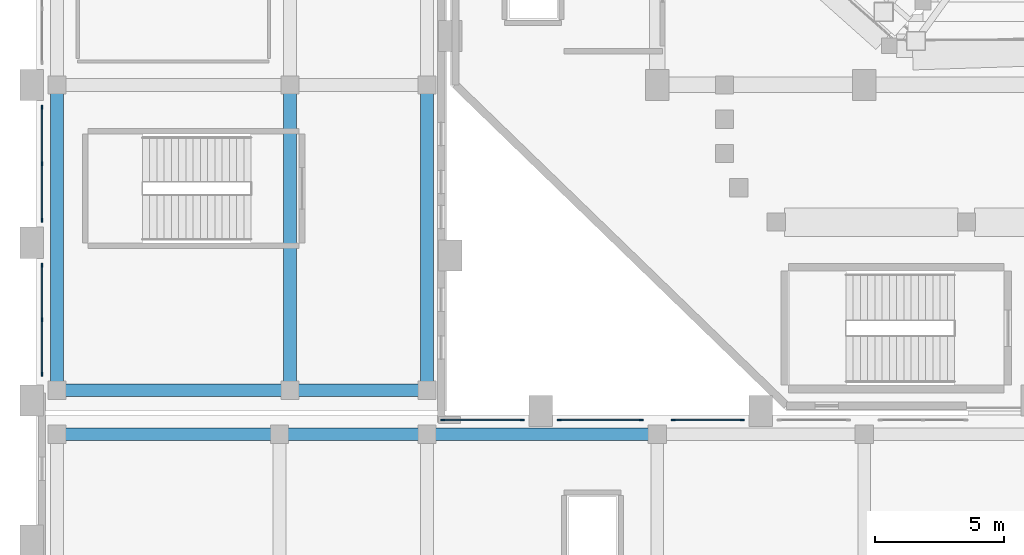
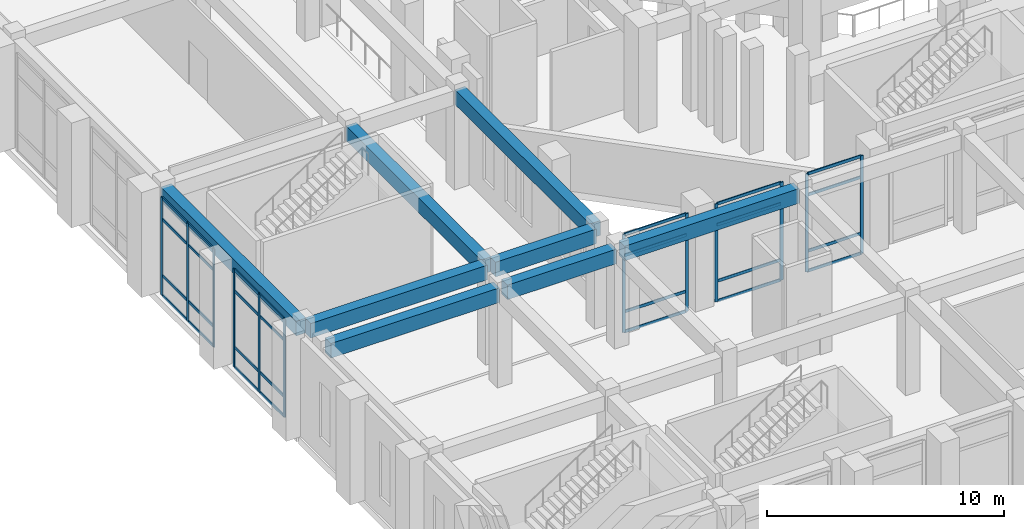
# One storey, part 20 of 159: 40 members, 8 beams, 5 elements without a shape of their own.
"""IFC4 building model written with IfcOpenShell, lengths in metres."""

from ifc_helpers import new_model, si_unit, derived_unit, direction, frame, origin, origin_2d, place, context, subcontext, project, spatial, rectangle, extrude, material, layer, layer_set, material_profile, profile_set, type_object, element, aggregate, save


model = new_model("IFC4")

# Units and contexts
model_context = context("Model", 3, precision=1e-05, world=origin(), true_north=direction((0.0, 1.0)))
body_context = subcontext(model_context, "Body", "Model", "MODEL_VIEW")
ifc_project = project(units=[si_unit("LENGTHUNIT", "METRE"), si_unit("AREAUNIT", "SQUARE_METRE"), si_unit("VOLUMEUNIT", "CUBIC_METRE"), si_unit("PLANEANGLEUNIT", "RADIAN"), si_unit("MASSUNIT", "GRAM", prefix="KILO"), derived_unit("THERMALTRANSMITTANCEUNIT", [(si_unit("MASSUNIT", "GRAM", prefix="KILO"), 1), (si_unit("TIMEUNIT", "SECOND"), -3), (si_unit("THERMODYNAMICTEMPERATUREUNIT", "KELVIN"), -1)])], contexts=[model_context])

# Site, building, storey
site_placement = place(None, origin())
site = spatial("IfcSite", under=ifc_project, at=site_placement, CompositionType="ELEMENT")
building_placement = place(site_placement, origin())
building = spatial("IfcBuilding", under=site, at=building_placement, Name="Valcora Ridge Arena", CompositionType="ELEMENT")
storey_placement = place(building_placement, frame((0.0, 0.0, 6.0)))
storey = spatial("IfcBuildingStorey", under=building, at=storey_placement, Name="L01", CompositionType="ELEMENT", Elevation=6.0)

# Beams
ifc_material_1 = material(Name="Concrete C40/50", Category="concrete")
ifc_material_profile_1 = material_profile(ifc_material_1, rectangle(XDim=0.5, YDim=0.75, at=origin_2d()), Name="RC 500x750")
ifc_profile_set_1 = profile_set([ifc_material_profile_1], Name="Concrete C40/50")
beam_type_1 = type_object("IfcBeamType", Name="TY-BEAM-B-RC500-X", PredefinedType="BEAM", material=ifc_profile_set_1)
beam_1_placement = place(storey_placement, frame((1.0, 19.10009765625, 4.6650390625), z_axis=(1.0, 0.0, 0.0), x_axis=(0.0, 1.0, 0.0)))
element("IfcBeam", 1, at=beam_1_placement, inside=storey, type_object=beam_type_1, Name="B-RC500-X BEM-B-RC500-X-0034", PredefinedType="BEAM", context=body_context, shape_type="SweptSolid", body=[
    extrude(rectangle(XDim=0.5, YDim=0.75, at=origin_2d()), origin(), (0.0, 0.0, 1.0), 8.199951171875),
])
beam_2_placement = place(storey_placement, frame((9.60009765625, 19.10009765625, 4.6650390625), z_axis=(1.0, 0.0, 0.0), x_axis=(0.0, 1.0, 0.0)))
element("IfcBeam", 2, at=beam_2_placement, inside=storey, type_object=beam_type_1, Name="B-RC500-X BEM-B-RC500-X-0035", PredefinedType="BEAM", context=body_context, shape_type="SweptSolid", body=[
    extrude(rectangle(XDim=0.5, YDim=0.75, at=origin_2d()), origin(), (0.0, 0.0, 1.0), 5.2998046875),
])
beam_3_placement = place(storey_placement, frame((15.300048828125, 19.10009765625, 4.6650390625), z_axis=(1.0, 0.0, 0.0), x_axis=(0.0, 1.0, 0.0)))
element("IfcBeam", 3, at=beam_3_placement, inside=storey, type_object=beam_type_1, Name="B-RC500-X BEM-B-RC500-X-0036", PredefinedType="BEAM", context=body_context, shape_type="SweptSolid", body=[
    extrude(rectangle(XDim=0.5, YDim=0.75, at=origin_2d()), origin(), (0.0, 0.0, 1.0), 8.5),
])
beam_4_placement = place(storey_placement, frame((1.0, 20.800048828125, 4.6650390625), z_axis=(1.0, 0.0, 0.0), x_axis=(0.0, 1.0, 0.0)))
element("IfcBeam", 4, at=beam_4_placement, inside=storey, type_object=beam_type_1, Name="B-RC500-X BEM-B-RC500-X-0041", PredefinedType="BEAM", context=body_context, shape_type="SweptSolid", body=[
    extrude(rectangle(XDim=0.5, YDim=0.75, at=origin_2d()), origin(), (0.0, 0.0, 1.0), 8.60009765625),
])
beam_5_placement = place(storey_placement, frame((10.0, 20.800048828125, 4.6650390625), z_axis=(1.0, 0.0, 0.0), x_axis=(0.0, 1.0, 0.0)))
element("IfcBeam", 5, at=beam_5_placement, inside=storey, type_object=beam_type_1, Name="B-RC500-X BEM-B-RC500-X-0042", PredefinedType="BEAM", context=body_context, shape_type="SweptSolid", body=[
    extrude(rectangle(XDim=0.5, YDim=0.75, at=origin_2d()), origin(), (0.0, 0.0, 1.0), 4.89990234375),
])
ifc_material_profile_2 = material_profile(ifc_material_1, rectangle(XDim=0.5, YDim=0.75, at=origin_2d()), Name="RC 500x750")
ifc_profile_set_2 = profile_set([ifc_material_profile_2], Name="Concrete C40/50")
beam_type_2 = type_object("IfcBeamType", Name="TY-BEAM-B-RC500-Y", PredefinedType="BEAM", material=ifc_profile_set_2)
for number, where, z_axis, x_axis, name in (
    (6, (0.800048828125, 21.0, 4.6650390625), (0.0, 1.0, 0.0), (-1.0, 0.0, 0.0), "B-RC500-Y BEM-B-RC500-Y-0036"),
    (7, (9.800048828125, 21.0, 4.6650390625), (0.0, 1.0, 0.0), (-1.0, 0.0, 0.0), "B-RC500-Y BEM-B-RC500-Y-0044"),
    (8, (15.10009765625, 21.0, 4.6650390625), (0.0, 1.0, 0.0), (-1.0, 0.0, 0.0), "B-RC500-Y BEM-B-RC500-Y-0051"),
):
    element("IfcBeam", number, at=place(storey_placement, frame(where, z_axis=z_axis, x_axis=x_axis)), inside=storey, type_object=beam_type_2, Name=name, PredefinedType="BEAM", context=body_context, shape_type="SweptSolid", body=[
        extrude(rectangle(XDim=0.5, YDim=0.75, at=origin_2d()), origin(), (0.0, 0.0, 1.0), 11.39990234375),
    ])

# Curtain wall, members
ifc_material_2 = material(Name="Anodised dark bronze architectural aluminium 6063-T6", Category="aluminium")
ifc_layer_1 = layer(ifc_material_2, 0.14990234375, Name="Anodised dark bronze architectural aluminium 6063-T6")
ifc_layer_set_1 = layer_set([ifc_layer_1], Name="Anodised dark bronze architectural aluminium 6063-T6")
curtain_wall_type_1 = type_object("IfcCurtainWallType", Name="TY-CURTAINWALL-CW-V4-CLUB-031X50", PredefinedType="NOTDEFINED", material=ifc_layer_set_1)
curtain_wall_1_placement = place(storey_placement, origin())
curtain_wall_1 = element("IfcCurtainWall", 9, at=curtain_wall_1_placement, inside=storey, type_object=curtain_wall_type_1, Name="CW-V4-CLUB-031X50 CW-0216", PredefinedType="NOTDEFINED")
ifc_material_profile_3 = material_profile(ifc_material_2, rectangle(XDim=0.050048828125, YDim=0.14990234375, at=origin_2d()), Name="ALU MULLION 50x150")
ifc_profile_set_3 = profile_set([ifc_material_profile_3], Name="Anodised dark bronze architectural aluminium 6063-T6")
member_type_1 = type_object("IfcMemberType", Name="TY-MEM-CWM-50x150", PredefinedType="MULLION", material=ifc_profile_set_3)
member_1_placement = place(storey_placement, frame((15.715087890625, 19.64990234375, 0.0), z_axis=(0.0, 0.0, 1.0), x_axis=(0.0, 1.0, 0.0)))
member_1 = element("IfcMember", 10, at=member_1_placement, type_object=member_type_1, Name="CW-0216/CWM-50x150/M00", PredefinedType="MULLION", context=body_context, shape_type="SweptSolid", body=[
    extrude(rectangle(XDim=0.050048828125, YDim=0.14990234375, at=origin_2d()), origin(), (0.0, 0.0, 1.0), 5.0400390625),
])
member_2_placement = place(storey_placement, frame((18.784912109375, 19.64990234375, 0.0), z_axis=(0.0, 0.0, 1.0), x_axis=(0.0, 1.0, 0.0)))
member_2 = element("IfcMember", 11, at=member_2_placement, type_object=member_type_1, Name="CW-0216/CWM-50x150/M01", PredefinedType="MULLION", context=body_context, shape_type="SweptSolid", body=[
    extrude(rectangle(XDim=0.050048828125, YDim=0.14990234375, at=origin_2d()), origin(), (0.0, 0.0, 1.0), 5.0400390625),
])

ifc_layer_2 = layer(ifc_material_2, 0.14990234375, Name="Anodised dark bronze architectural aluminium 6063-T6")
ifc_layer_set_2 = layer_set([ifc_layer_2], Name="Anodised dark bronze architectural aluminium 6063-T6")
curtain_wall_type_2 = type_object("IfcCurtainWallType", Name="TY-CURTAINWALL-CW-V4-CLUB-032X50", PredefinedType="NOTDEFINED", material=ifc_layer_set_2)
curtain_wall_2_placement = place(storey_placement, origin())
curtain_wall_2 = element("IfcCurtainWall", 12, at=curtain_wall_2_placement, inside=storey, type_object=curtain_wall_type_2, Name="CW-V4-CLUB-032X50 CW-0217", PredefinedType="NOTDEFINED")
member_3_placement = place(storey_placement, frame((20.215087890625, 19.64990234375, 0.0), z_axis=(0.0, 0.0, 1.0), x_axis=(0.0, 1.0, 0.0)))
member_3 = element("IfcMember", 13, at=member_3_placement, type_object=member_type_1, Name="CW-0217/CWM-50x150/M00", PredefinedType="MULLION", context=body_context, shape_type="SweptSolid", body=[
    extrude(rectangle(XDim=0.050048828125, YDim=0.14990234375, at=origin_2d()), origin(), (0.0, 0.0, 1.0), 5.0400390625),
])
member_4_placement = place(storey_placement, frame((23.385009765625, 19.64990234375, 0.0), z_axis=(0.0, 0.0, 1.0), x_axis=(0.0, 1.0, 0.0)))
member_4 = element("IfcMember", 14, at=member_4_placement, type_object=member_type_1, Name="CW-0217/CWM-50x150/M01", PredefinedType="MULLION", context=body_context, shape_type="SweptSolid", body=[
    extrude(rectangle(XDim=0.050048828125, YDim=0.14990234375, at=origin_2d()), origin(), (0.0, 0.0, 1.0), 5.0400390625),
])

ifc_layer_3 = layer(ifc_material_2, 0.14990234375, Name="Anodised dark bronze architectural aluminium 6063-T6")
ifc_layer_set_3 = layer_set([ifc_layer_3], Name="Anodised dark bronze architectural aluminium 6063-T6")
curtain_wall_type_3 = type_object("IfcCurtainWallType", Name="TY-CURTAINWALL-CW-V4-CLUB-027X50", PredefinedType="NOTDEFINED", material=ifc_layer_set_3)
curtain_wall_3_placement = place(storey_placement, origin())
curtain_wall_3 = element("IfcCurtainWall", 15, at=curtain_wall_3_placement, inside=storey, type_object=curtain_wall_type_3, Name="CW-V4-CLUB-027X50 CW-0218", PredefinedType="NOTDEFINED")
member_5_placement = place(storey_placement, frame((24.614990234375, 19.64990234375, 0.0), z_axis=(0.0, 0.0, 1.0), x_axis=(0.0, 1.0, 0.0)))
member_5 = element("IfcMember", 16, at=member_5_placement, type_object=member_type_1, Name="CW-0218/CWM-50x150/M00", PredefinedType="MULLION", context=body_context, shape_type="SweptSolid", body=[
    extrude(rectangle(XDim=0.050048828125, YDim=0.14990234375, at=origin_2d()), origin(), (0.0, 0.0, 1.0), 5.0400390625),
])
member_6_placement = place(storey_placement, frame((27.284912109375, 19.64990234375, 0.0), z_axis=(0.0, 0.0, 1.0), x_axis=(0.0, 1.0, 0.0)))
member_6 = element("IfcMember", 17, at=member_6_placement, type_object=member_type_1, Name="CW-0218/CWM-50x150/M01", PredefinedType="MULLION", context=body_context, shape_type="SweptSolid", body=[
    extrude(rectangle(XDim=0.050048828125, YDim=0.14990234375, at=origin_2d()), origin(), (0.0, 0.0, 1.0), 5.0400390625),
])

ifc_layer_4 = layer(ifc_material_2, 0.14990234375, Name="Anodised dark bronze architectural aluminium 6063-T6")
ifc_layer_set_4 = layer_set([ifc_layer_4], Name="Anodised dark bronze architectural aluminium 6063-T6")
curtain_wall_type_4 = type_object("IfcCurtainWallType", Name="TY-CURTAINWALL-CW-V4-CLUB-043X50", PredefinedType="NOTDEFINED", material=ifc_layer_set_4)
curtain_wall_4_placement = place(storey_placement, origin())
curtain_wall_4 = element("IfcCurtainWall", 18, at=curtain_wall_4_placement, inside=storey, type_object=curtain_wall_type_4, Name="CW-V4-CLUB-043X50 CW-0222", PredefinedType="NOTDEFINED")
member_7_placement = place(storey_placement, frame((0.219970703125, 21.4150390625, 0.0), z_axis=(0.0, 0.0, 1.0), x_axis=(-1.0, 0.0, 0.0)))
member_7 = element("IfcMember", 19, at=member_7_placement, type_object=member_type_1, Name="CW-0222/CWM-50x150/M00", PredefinedType="MULLION", context=body_context, shape_type="SweptSolid", body=[
    extrude(rectangle(XDim=0.050048828125, YDim=0.14990234375, at=origin_2d()), origin(), (0.0, 0.0, 1.0), 5.0400390625),
])
member_8_placement = place(storey_placement, frame((0.219970703125, 23.52490234375, 0.0), z_axis=(0.0, 0.0, 1.0), x_axis=(-1.0, 0.0, 0.0)))
member_8 = element("IfcMember", 20, at=member_8_placement, type_object=member_type_1, Name="CW-0222/CWM-50x150/M01", PredefinedType="MULLION", context=body_context, shape_type="SweptSolid", body=[
    extrude(rectangle(XDim=0.050048828125, YDim=0.14990234375, at=origin_2d()), origin(), (0.0, 0.0, 1.0), 5.0400390625),
])
member_9_placement = place(storey_placement, frame((0.219970703125, 25.635009765625, 0.0), z_axis=(0.0, 0.0, 1.0), x_axis=(-1.0, 0.0, 0.0)))
member_9 = element("IfcMember", 21, at=member_9_placement, type_object=member_type_1, Name="CW-0222/CWM-50x150/M02", PredefinedType="MULLION", context=body_context, shape_type="SweptSolid", body=[
    extrude(rectangle(XDim=0.050048828125, YDim=0.14990234375, at=origin_2d()), origin(), (0.0, 0.0, 1.0), 5.0400390625),
])

ifc_layer_5 = layer(ifc_material_2, 0.14990234375, Name="Anodised dark bronze architectural aluminium 6063-T6")
ifc_layer_set_5 = layer_set([ifc_layer_5], Name="Anodised dark bronze architectural aluminium 6063-T6")
curtain_wall_type_5 = type_object("IfcCurtainWallType", Name="TY-CURTAINWALL-CW-V4-CLUB-044X50", PredefinedType="NOTDEFINED", material=ifc_layer_set_5)
curtain_wall_5_placement = place(storey_placement, origin())
curtain_wall_5 = element("IfcCurtainWall", 22, at=curtain_wall_5_placement, inside=storey, type_object=curtain_wall_type_5, Name="CW-V4-CLUB-044X50 CW-0223", PredefinedType="NOTDEFINED")
member_10_placement = place(storey_placement, frame((0.219970703125, 27.364990234375, 0.0), z_axis=(0.0, 0.0, 1.0), x_axis=(-1.0, 0.0, 0.0)))
member_10 = element("IfcMember", 23, at=member_10_placement, type_object=member_type_1, Name="CW-0223/CWM-50x150/M00", PredefinedType="MULLION", context=body_context, shape_type="SweptSolid", body=[
    extrude(rectangle(XDim=0.050048828125, YDim=0.14990234375, at=origin_2d()), origin(), (0.0, 0.0, 1.0), 5.0400390625),
])
member_11_placement = place(storey_placement, frame((0.219970703125, 29.550048828125, 0.0), z_axis=(0.0, 0.0, 1.0), x_axis=(-1.0, 0.0, 0.0)))
member_11 = element("IfcMember", 24, at=member_11_placement, type_object=member_type_1, Name="CW-0223/CWM-50x150/M01", PredefinedType="MULLION", context=body_context, shape_type="SweptSolid", body=[
    extrude(rectangle(XDim=0.050048828125, YDim=0.14990234375, at=origin_2d()), origin(), (0.0, 0.0, 1.0), 5.0400390625),
])
member_12_placement = place(storey_placement, frame((0.219970703125, 31.735107421875, 0.0), z_axis=(0.0, 0.0, 1.0), x_axis=(-1.0, 0.0, 0.0)))
member_12 = element("IfcMember", 25, at=member_12_placement, type_object=member_type_1, Name="CW-0223/CWM-50x150/M02", PredefinedType="MULLION", context=body_context, shape_type="SweptSolid", body=[
    extrude(rectangle(XDim=0.050048828125, YDim=0.14990234375, at=origin_2d()), origin(), (0.0, 0.0, 1.0), 5.0400390625),
])

# Member
ifc_material_profile_4 = material_profile(ifc_material_2, rectangle(XDim=0.050048828125, YDim=0.14990234375, at=origin_2d()), Name="ALU TRANSOM 50x150")
ifc_profile_set_4 = profile_set([ifc_material_profile_4], Name="Anodised dark bronze architectural aluminium 6063-T6")
member_type_2 = type_object("IfcMemberType", Name="TY-MEM-CWT-50x150", PredefinedType="USERDEFINED", material=ifc_profile_set_4)
member_13_placement = place(storey_placement, frame((15.739990234375, 19.64990234375, 0.02490234375), z_axis=(1.0, 0.0, 0.0), x_axis=(0.0, 1.0, 0.0)))
member_13 = element("IfcMember", 26, at=member_13_placement, type_object=member_type_2, Name="CW-0216/CWT-50x150/T00-00", ObjectType="TRANSOM", PredefinedType="USERDEFINED", context=body_context, shape_type="SweptSolid", body=[
    extrude(rectangle(XDim=0.050048828125, YDim=0.14990234375, at=origin_2d()), origin(), (0.0, 0.0, 1.0), 3.02001953125),
])

member_14_placement = place(storey_placement, frame((15.739990234375, 19.64990234375, 1.050048828125), z_axis=(1.0, 0.0, 0.0), x_axis=(0.0, 1.0, 0.0)))
member_14 = element("IfcMember", 27, at=member_14_placement, type_object=member_type_2, Name="CW-0216/CWT-50x150/T00-01", ObjectType="TRANSOM", PredefinedType="USERDEFINED", context=body_context, shape_type="SweptSolid", body=[
    extrude(rectangle(XDim=0.050048828125, YDim=0.14990234375, at=origin_2d()), origin(), (0.0, 0.0, 1.0), 3.02001953125),
])

member_15_placement = place(storey_placement, frame((15.739990234375, 19.64990234375, 3.93994140625), z_axis=(1.0, 0.0, 0.0), x_axis=(0.0, 1.0, 0.0)))
member_15 = element("IfcMember", 28, at=member_15_placement, type_object=member_type_2, Name="CW-0216/CWT-50x150/T00-02", ObjectType="TRANSOM", PredefinedType="USERDEFINED", context=body_context, shape_type="SweptSolid", body=[
    extrude(rectangle(XDim=0.050048828125, YDim=0.14990234375, at=origin_2d()), origin(), (0.0, 0.0, 1.0), 3.02001953125),
])

member_16_placement = place(storey_placement, frame((15.739990234375, 19.64990234375, 5.014892578125), z_axis=(1.0, 0.0, 0.0), x_axis=(0.0, 1.0, 0.0)))
member_16 = element("IfcMember", 29, at=member_16_placement, type_object=member_type_2, Name="CW-0216/CWT-50x150/T00-03", ObjectType="TRANSOM", PredefinedType="USERDEFINED", context=body_context, shape_type="SweptSolid", body=[
    extrude(rectangle(XDim=0.050048828125, YDim=0.14990234375, at=origin_2d()), origin(), (0.0, 0.0, 1.0), 3.02001953125),
])

aggregate(curtain_wall_1, [member_1, member_2, member_13, member_14, member_15, member_16])

member_17_placement = place(storey_placement, frame((20.239990234375, 19.64990234375, 0.02490234375), z_axis=(1.0, 0.0, 0.0), x_axis=(0.0, 1.0, 0.0)))
member_17 = element("IfcMember", 30, at=member_17_placement, type_object=member_type_2, Name="CW-0217/CWT-50x150/T00-00", ObjectType="TRANSOM", PredefinedType="USERDEFINED", context=body_context, shape_type="SweptSolid", body=[
    extrude(rectangle(XDim=0.050048828125, YDim=0.14990234375, at=origin_2d()), origin(), (0.0, 0.0, 1.0), 3.1201171875),
])

member_18_placement = place(storey_placement, frame((20.239990234375, 19.64990234375, 1.050048828125), z_axis=(1.0, 0.0, 0.0), x_axis=(0.0, 1.0, 0.0)))
member_18 = element("IfcMember", 31, at=member_18_placement, type_object=member_type_2, Name="CW-0217/CWT-50x150/T00-01", ObjectType="TRANSOM", PredefinedType="USERDEFINED", context=body_context, shape_type="SweptSolid", body=[
    extrude(rectangle(XDim=0.050048828125, YDim=0.14990234375, at=origin_2d()), origin(), (0.0, 0.0, 1.0), 3.1201171875),
])

member_19_placement = place(storey_placement, frame((20.239990234375, 19.64990234375, 3.93994140625), z_axis=(1.0, 0.0, 0.0), x_axis=(0.0, 1.0, 0.0)))
member_19 = element("IfcMember", 32, at=member_19_placement, type_object=member_type_2, Name="CW-0217/CWT-50x150/T00-02", ObjectType="TRANSOM", PredefinedType="USERDEFINED", context=body_context, shape_type="SweptSolid", body=[
    extrude(rectangle(XDim=0.050048828125, YDim=0.14990234375, at=origin_2d()), origin(), (0.0, 0.0, 1.0), 3.1201171875),
])

member_20_placement = place(storey_placement, frame((20.239990234375, 19.64990234375, 5.014892578125), z_axis=(1.0, 0.0, 0.0), x_axis=(0.0, 1.0, 0.0)))
member_20 = element("IfcMember", 33, at=member_20_placement, type_object=member_type_2, Name="CW-0217/CWT-50x150/T00-03", ObjectType="TRANSOM", PredefinedType="USERDEFINED", context=body_context, shape_type="SweptSolid", body=[
    extrude(rectangle(XDim=0.050048828125, YDim=0.14990234375, at=origin_2d()), origin(), (0.0, 0.0, 1.0), 3.1201171875),
])

aggregate(curtain_wall_2, [member_3, member_4, member_17, member_18, member_19, member_20])

member_21_placement = place(storey_placement, frame((24.639892578125, 19.64990234375, 0.02490234375), z_axis=(1.0, 0.0, 0.0), x_axis=(0.0, 1.0, 0.0)))
member_21 = element("IfcMember", 34, at=member_21_placement, type_object=member_type_2, Name="CW-0218/CWT-50x150/T00-00", ObjectType="TRANSOM", PredefinedType="USERDEFINED", context=body_context, shape_type="SweptSolid", body=[
    extrude(rectangle(XDim=0.050048828125, YDim=0.14990234375, at=origin_2d()), origin(), (0.0, 0.0, 1.0), 2.6201171875),
])

member_22_placement = place(storey_placement, frame((24.639892578125, 19.64990234375, 1.050048828125), z_axis=(1.0, 0.0, 0.0), x_axis=(0.0, 1.0, 0.0)))
member_22 = element("IfcMember", 35, at=member_22_placement, type_object=member_type_2, Name="CW-0218/CWT-50x150/T00-01", ObjectType="TRANSOM", PredefinedType="USERDEFINED", context=body_context, shape_type="SweptSolid", body=[
    extrude(rectangle(XDim=0.050048828125, YDim=0.14990234375, at=origin_2d()), origin(), (0.0, 0.0, 1.0), 2.6201171875),
])

member_23_placement = place(storey_placement, frame((24.639892578125, 19.64990234375, 3.93994140625), z_axis=(1.0, 0.0, 0.0), x_axis=(0.0, 1.0, 0.0)))
member_23 = element("IfcMember", 36, at=member_23_placement, type_object=member_type_2, Name="CW-0218/CWT-50x150/T00-02", ObjectType="TRANSOM", PredefinedType="USERDEFINED", context=body_context, shape_type="SweptSolid", body=[
    extrude(rectangle(XDim=0.050048828125, YDim=0.14990234375, at=origin_2d()), origin(), (0.0, 0.0, 1.0), 2.6201171875),
])

member_24_placement = place(storey_placement, frame((24.639892578125, 19.64990234375, 5.014892578125), z_axis=(1.0, 0.0, 0.0), x_axis=(0.0, 1.0, 0.0)))
member_24 = element("IfcMember", 37, at=member_24_placement, type_object=member_type_2, Name="CW-0218/CWT-50x150/T00-03", ObjectType="TRANSOM", PredefinedType="USERDEFINED", context=body_context, shape_type="SweptSolid", body=[
    extrude(rectangle(XDim=0.050048828125, YDim=0.14990234375, at=origin_2d()), origin(), (0.0, 0.0, 1.0), 2.6201171875),
])

aggregate(curtain_wall_3, [member_5, member_6, member_21, member_22, member_23, member_24])

member_25_placement = place(storey_placement, frame((0.219970703125, 21.43994140625, 0.02490234375), z_axis=(0.0, 1.0, 0.0), x_axis=(-1.0, 0.0, 0.0)))
member_25 = element("IfcMember", 38, at=member_25_placement, type_object=member_type_2, Name="CW-0222/CWT-50x150/T00-00", ObjectType="TRANSOM", PredefinedType="USERDEFINED", context=body_context, shape_type="SweptSolid", body=[
    extrude(rectangle(XDim=0.050048828125, YDim=0.14990234375, at=origin_2d()), origin(), (0.0, 0.0, 1.0), 2.06005859375),
])

member_26_placement = place(storey_placement, frame((0.219970703125, 21.43994140625, 1.050048828125), z_axis=(0.0, 1.0, 0.0), x_axis=(-1.0, 0.0, 0.0)))
member_26 = element("IfcMember", 39, at=member_26_placement, type_object=member_type_2, Name="CW-0222/CWT-50x150/T00-01", ObjectType="TRANSOM", PredefinedType="USERDEFINED", context=body_context, shape_type="SweptSolid", body=[
    extrude(rectangle(XDim=0.050048828125, YDim=0.14990234375, at=origin_2d()), origin(), (0.0, 0.0, 1.0), 2.06005859375),
])

member_27_placement = place(storey_placement, frame((0.219970703125, 21.43994140625, 3.93994140625), z_axis=(0.0, 1.0, 0.0), x_axis=(-1.0, 0.0, 0.0)))
member_27 = element("IfcMember", 40, at=member_27_placement, type_object=member_type_2, Name="CW-0222/CWT-50x150/T00-02", ObjectType="TRANSOM", PredefinedType="USERDEFINED", context=body_context, shape_type="SweptSolid", body=[
    extrude(rectangle(XDim=0.050048828125, YDim=0.14990234375, at=origin_2d()), origin(), (0.0, 0.0, 1.0), 2.06005859375),
])

member_28_placement = place(storey_placement, frame((0.219970703125, 21.43994140625, 5.014892578125), z_axis=(0.0, 1.0, 0.0), x_axis=(-1.0, 0.0, 0.0)))
member_28 = element("IfcMember", 41, at=member_28_placement, type_object=member_type_2, Name="CW-0222/CWT-50x150/T00-03", ObjectType="TRANSOM", PredefinedType="USERDEFINED", context=body_context, shape_type="SweptSolid", body=[
    extrude(rectangle(XDim=0.050048828125, YDim=0.14990234375, at=origin_2d()), origin(), (0.0, 0.0, 1.0), 2.06005859375),
])

member_29_placement = place(storey_placement, frame((0.219970703125, 23.550048828125, 0.02490234375), z_axis=(0.0, 1.0, 0.0), x_axis=(-1.0, 0.0, 0.0)))
member_29 = element("IfcMember", 42, at=member_29_placement, type_object=member_type_2, Name="CW-0222/CWT-50x150/T01-00", ObjectType="TRANSOM", PredefinedType="USERDEFINED", context=body_context, shape_type="SweptSolid", body=[
    extrude(rectangle(XDim=0.050048828125, YDim=0.14990234375, at=origin_2d()), origin(), (0.0, 0.0, 1.0), 2.06005859375),
])

member_30_placement = place(storey_placement, frame((0.219970703125, 23.550048828125, 1.050048828125), z_axis=(0.0, 1.0, 0.0), x_axis=(-1.0, 0.0, 0.0)))
member_30 = element("IfcMember", 43, at=member_30_placement, type_object=member_type_2, Name="CW-0222/CWT-50x150/T01-01", ObjectType="TRANSOM", PredefinedType="USERDEFINED", context=body_context, shape_type="SweptSolid", body=[
    extrude(rectangle(XDim=0.050048828125, YDim=0.14990234375, at=origin_2d()), origin(), (0.0, 0.0, 1.0), 2.06005859375),
])

member_31_placement = place(storey_placement, frame((0.219970703125, 23.550048828125, 3.93994140625), z_axis=(0.0, 1.0, 0.0), x_axis=(-1.0, 0.0, 0.0)))
member_31 = element("IfcMember", 44, at=member_31_placement, type_object=member_type_2, Name="CW-0222/CWT-50x150/T01-02", ObjectType="TRANSOM", PredefinedType="USERDEFINED", context=body_context, shape_type="SweptSolid", body=[
    extrude(rectangle(XDim=0.050048828125, YDim=0.14990234375, at=origin_2d()), origin(), (0.0, 0.0, 1.0), 2.06005859375),
])

member_32_placement = place(storey_placement, frame((0.219970703125, 23.550048828125, 5.014892578125), z_axis=(0.0, 1.0, 0.0), x_axis=(-1.0, 0.0, 0.0)))
member_32 = element("IfcMember", 45, at=member_32_placement, type_object=member_type_2, Name="CW-0222/CWT-50x150/T01-03", ObjectType="TRANSOM", PredefinedType="USERDEFINED", context=body_context, shape_type="SweptSolid", body=[
    extrude(rectangle(XDim=0.050048828125, YDim=0.14990234375, at=origin_2d()), origin(), (0.0, 0.0, 1.0), 2.06005859375),
])

aggregate(curtain_wall_4, [member_7, member_8, member_9, member_25, member_26, member_27, member_28, member_29, member_30, member_31, member_32])

member_33_placement = place(storey_placement, frame((0.219970703125, 27.389892578125, 0.02490234375), z_axis=(0.0, 1.0, 0.0), x_axis=(-1.0, 0.0, 0.0)))
member_33 = element("IfcMember", 46, at=member_33_placement, type_object=member_type_2, Name="CW-0223/CWT-50x150/T00-00", ObjectType="TRANSOM", PredefinedType="USERDEFINED", context=body_context, shape_type="SweptSolid", body=[
    extrude(rectangle(XDim=0.050048828125, YDim=0.14990234375, at=origin_2d()), origin(), (0.0, 0.0, 1.0), 2.135009765625),
])

member_34_placement = place(storey_placement, frame((0.219970703125, 27.389892578125, 1.050048828125), z_axis=(0.0, 1.0, 0.0), x_axis=(-1.0, 0.0, 0.0)))
member_34 = element("IfcMember", 47, at=member_34_placement, type_object=member_type_2, Name="CW-0223/CWT-50x150/T00-01", ObjectType="TRANSOM", PredefinedType="USERDEFINED", context=body_context, shape_type="SweptSolid", body=[
    extrude(rectangle(XDim=0.050048828125, YDim=0.14990234375, at=origin_2d()), origin(), (0.0, 0.0, 1.0), 2.135009765625),
])

member_35_placement = place(storey_placement, frame((0.219970703125, 27.389892578125, 3.93994140625), z_axis=(0.0, 1.0, 0.0), x_axis=(-1.0, 0.0, 0.0)))
member_35 = element("IfcMember", 48, at=member_35_placement, type_object=member_type_2, Name="CW-0223/CWT-50x150/T00-02", ObjectType="TRANSOM", PredefinedType="USERDEFINED", context=body_context, shape_type="SweptSolid", body=[
    extrude(rectangle(XDim=0.050048828125, YDim=0.14990234375, at=origin_2d()), origin(), (0.0, 0.0, 1.0), 2.135009765625),
])

member_36_placement = place(storey_placement, frame((0.219970703125, 27.389892578125, 5.014892578125), z_axis=(0.0, 1.0, 0.0), x_axis=(-1.0, 0.0, 0.0)))
member_36 = element("IfcMember", 49, at=member_36_placement, type_object=member_type_2, Name="CW-0223/CWT-50x150/T00-03", ObjectType="TRANSOM", PredefinedType="USERDEFINED", context=body_context, shape_type="SweptSolid", body=[
    extrude(rectangle(XDim=0.050048828125, YDim=0.14990234375, at=origin_2d()), origin(), (0.0, 0.0, 1.0), 2.135009765625),
])

member_37_placement = place(storey_placement, frame((0.219970703125, 29.574951171875, 0.02490234375), z_axis=(0.0, 1.0, 0.0), x_axis=(-1.0, 0.0, 0.0)))
member_37 = element("IfcMember", 50, at=member_37_placement, type_object=member_type_2, Name="CW-0223/CWT-50x150/T01-00", ObjectType="TRANSOM", PredefinedType="USERDEFINED", context=body_context, shape_type="SweptSolid", body=[
    extrude(rectangle(XDim=0.050048828125, YDim=0.14990234375, at=origin_2d()), origin(), (0.0, 0.0, 1.0), 2.135009765625),
])

member_38_placement = place(storey_placement, frame((0.219970703125, 29.574951171875, 1.050048828125), z_axis=(0.0, 1.0, 0.0), x_axis=(-1.0, 0.0, 0.0)))
member_38 = element("IfcMember", 51, at=member_38_placement, type_object=member_type_2, Name="CW-0223/CWT-50x150/T01-01", ObjectType="TRANSOM", PredefinedType="USERDEFINED", context=body_context, shape_type="SweptSolid", body=[
    extrude(rectangle(XDim=0.050048828125, YDim=0.14990234375, at=origin_2d()), origin(), (0.0, 0.0, 1.0), 2.135009765625),
])

member_39_placement = place(storey_placement, frame((0.219970703125, 29.574951171875, 3.93994140625), z_axis=(0.0, 1.0, 0.0), x_axis=(-1.0, 0.0, 0.0)))
member_39 = element("IfcMember", 52, at=member_39_placement, type_object=member_type_2, Name="CW-0223/CWT-50x150/T01-02", ObjectType="TRANSOM", PredefinedType="USERDEFINED", context=body_context, shape_type="SweptSolid", body=[
    extrude(rectangle(XDim=0.050048828125, YDim=0.14990234375, at=origin_2d()), origin(), (0.0, 0.0, 1.0), 2.135009765625),
])

member_40_placement = place(storey_placement, frame((0.219970703125, 29.574951171875, 5.014892578125), z_axis=(0.0, 1.0, 0.0), x_axis=(-1.0, 0.0, 0.0)))
member_40 = element("IfcMember", 53, at=member_40_placement, type_object=member_type_2, Name="CW-0223/CWT-50x150/T01-03", ObjectType="TRANSOM", PredefinedType="USERDEFINED", context=body_context, shape_type="SweptSolid", body=[
    extrude(rectangle(XDim=0.050048828125, YDim=0.14990234375, at=origin_2d()), origin(), (0.0, 0.0, 1.0), 2.135009765625),
])

aggregate(curtain_wall_5, [member_10, member_11, member_12, member_33, member_34, member_35, member_36, member_37, member_38, member_39, member_40])

save(model, "model.ifc")
